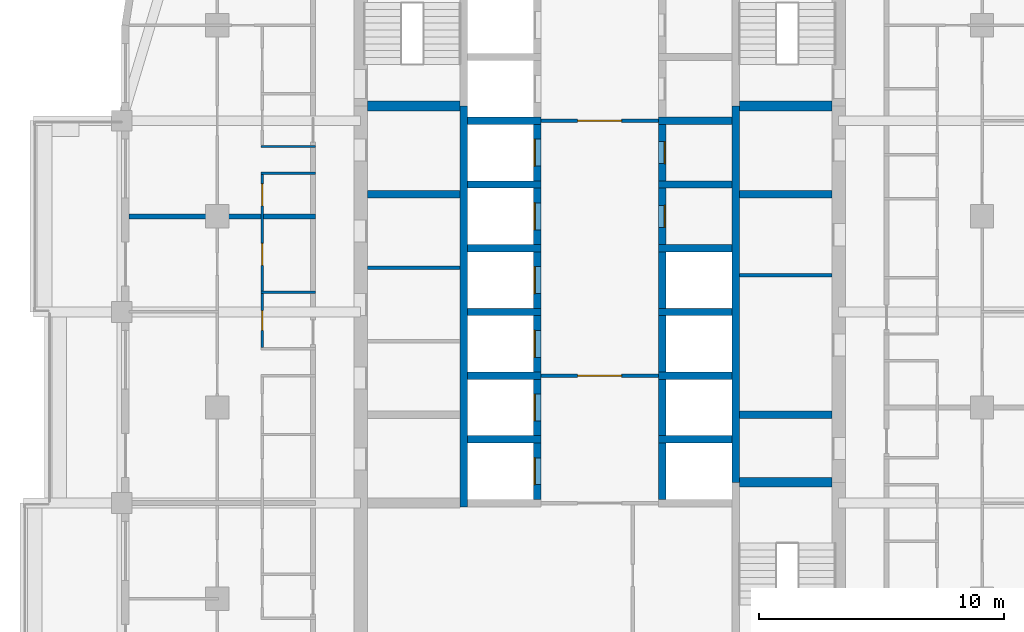
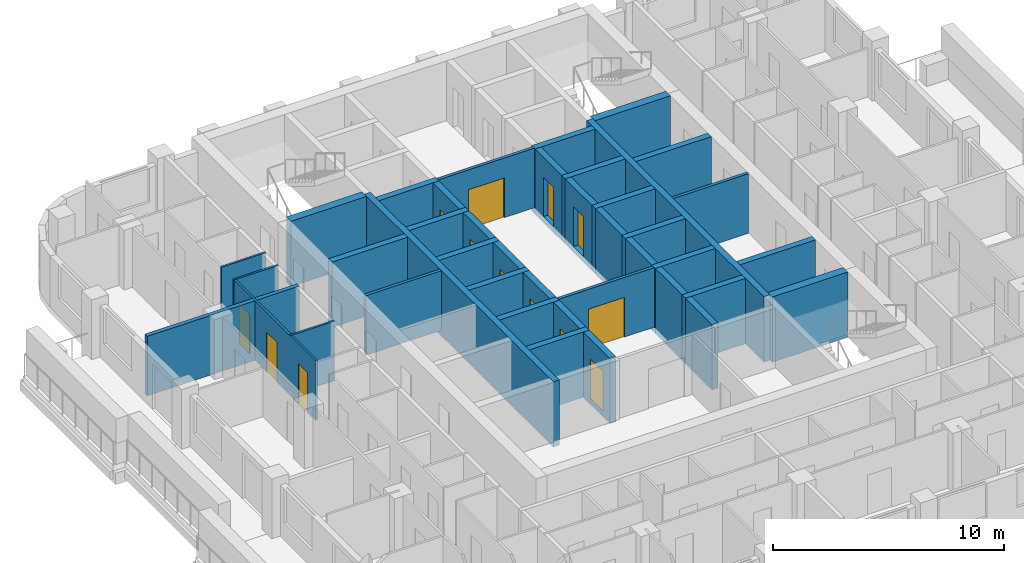
# One storey, part 5 of 13: 41 walls, 13 doors, 13 openings.
"""IFC4 building model written with IfcOpenShell, lengths in metres."""

from ifc_helpers import new_model, si_unit, direction, frame, frame_2d, origin, place, context, subcontext, project, spatial, rectangle, extrude, material, layer, layer_set, type_object, element, fill, save


model = new_model("IFC4")

# Units and contexts
model_context = context("Model", 3, precision=1e-05, world=origin(), true_north=direction((0.0, 1.0)))
body_context = subcontext(model_context, "Body", "Model", "MODEL_VIEW")
ifc_project = project(units=[si_unit("LENGTHUNIT", "METRE"), si_unit("AREAUNIT", "SQUARE_METRE"), si_unit("VOLUMEUNIT", "CUBIC_METRE"), si_unit("PLANEANGLEUNIT", "RADIAN"), si_unit("MASSUNIT", "GRAM", prefix="KILO")], contexts=[model_context])

# Site, building, storey
site_placement = place(None, origin())
site = spatial("IfcSite", under=ifc_project, at=site_placement, CompositionType="ELEMENT")
building_placement = place(site_placement, origin())
building = spatial("IfcBuilding", under=site, at=building_placement, Name="Ludao Terraces", CompositionType="ELEMENT")
storey_placement = place(building_placement, frame((0.0, 0.0, 123.699951171875)))
storey = spatial("IfcBuildingStorey", under=building, at=storey_placement, Name="L33", CompositionType="ELEMENT", Elevation=123.699951171875)

# Wall, opening, door
ifc_material_1 = material(Name="Fire-rated gypsum plasterboard", Category="gypsum")
ifc_layer_1 = layer(ifc_material_1, 0.012451171875, Category="gypsum")
ifc_material_2 = material(Name="Mineral wool")
ifc_layer_2 = layer(ifc_material_2, 0.10009765625, Name="insulation")
ifc_material_3 = material(Name="Steel Q235", Category="steel")
ifc_layer_3 = layer(ifc_material_3, 0.02490234375, Name="stud")
ifc_layer_4 = layer(ifc_material_1, 0.012451171875, Category="gypsum")
ifc_layer_set_1 = layer_set([ifc_layer_1, ifc_layer_2, ifc_layer_3, ifc_layer_4], Name="INT Core partition 150")
wall_type_1 = type_object("IfcWallType", Name="INT Core partition 150", PredefinedType="PARTITIONING", material=ifc_layer_set_1)
wall_1_placement = place(storey_placement, frame((82.60009765625, 66.300048828125, 0.0), z_axis=(0.0, 0.0, 1.0), x_axis=(1.0, 0.0, 0.0)))
wall_1 = element("IfcWall", 1, at=wall_1_placement, inside=storey, type_object=wall_type_1, Name="PW-L33-PW024", PredefinedType="PARTITIONING", context=body_context, shape_type="SweptSolid", body=[
    extrude(rectangle(XDim=4.800048828125, YDim=0.14990234375, at=frame_2d((2.39990234375, 0.0))), origin(), (0.0, 0.0, 1.0), 3.150146484375),
])
opening_1_placement = place(wall_1_placement, frame((1.5, 0.0, 0.0)))
opening_1 = element("IfcOpeningElement", 2, at=opening_1_placement, cuts=wall_1, Name="Opening R10-051", PredefinedType="OPENING", context=body_context, shape_type="SweptSolid", body=[
    extrude(rectangle(XDim=1.800048828125, YDim=2.10009765625, at=frame_2d((0.89990234375, 1.050048828125))), frame((0.0, 0.0849609375, 0.0), z_axis=(0.0, -1.0, 0.0), x_axis=(1.0, 0.0, 0.0)), (0.0, 0.0, 1.0), 0.169921875),
])
door_type_1 = type_object("IfcDoorType", Name="INT Fire lobby door 1800", OperationType="DOUBLE_DOOR_SINGLE_SWING", PredefinedType="DOOR", material=ifc_material_3)
door_1_placement = place(opening_1_placement, origin())
door_1 = element("IfcDoor", 3, at=door_1_placement, inside=storey, type_object=door_type_1, Name="DOOR 051", OperationType="DOUBLE_DOOR_SINGLE_SWING", OverallHeight=2.10009765625, OverallWidth=1.800048828125, PredefinedType="DOOR", context=body_context, shape_type="SweptSolid", body=[
    extrude(rectangle(XDim=1.800048828125, YDim=2.10009765625, at=frame_2d((0.89990234375, 1.050048828125))), frame((0.0, 0.02490234375, 0.0), z_axis=(0.0, -1.0, 0.0), x_axis=(1.0, 0.0, 0.0)), (0.0, 0.0, 1.0), 0.050048828125),
])
fill(opening_1, door_1)

# Walls
for number, where, z_axis, x_axis, name in (
    (4, (90.7001953125, 70.39990234375, 0.0), (0.0, 0.0, 1.0), (1.0, 0.0, 0.0), "PW-L33-PW033"),
    (5, (75.525146484375, 70.699951171875, 0.0), (0.0, 0.0, 1.0), (1.0, 0.0, 0.0), "PW-L33-PW034"),
):
    element("IfcWall", number, at=place(storey_placement, frame(where, z_axis=z_axis, x_axis=x_axis)), inside=storey, type_object=wall_type_1, Name=name, PredefinedType="PARTITIONING", context=body_context, shape_type="SweptSolid", body=[
        extrude(rectangle(XDim=3.77490234375, YDim=0.14990234375, at=frame_2d((1.887451171875, 0.0))), origin(), (0.0, 0.0, 1.0), 3.150146484375),
    ])

# Wall, opening, door
wall_2_placement = place(storey_placement, frame((82.60009765625, 76.699951171875, 0.0), z_axis=(0.0, 0.0, 1.0), x_axis=(1.0, 0.0, 0.0)))
wall_2 = element("IfcWall", 6, at=wall_2_placement, inside=storey, type_object=wall_type_1, Name="PW-L33-PW040", PredefinedType="PARTITIONING", context=body_context, shape_type="SweptSolid", body=[
    extrude(rectangle(XDim=4.800048828125, YDim=0.14990234375, at=frame_2d((2.39990234375, 0.0))), origin(), (0.0, 0.0, 1.0), 3.150146484375),
])
opening_2_placement = place(wall_2_placement, frame((1.5, 0.0, 0.0)))
opening_2 = element("IfcOpeningElement", 7, at=opening_2_placement, cuts=wall_2, Name="Opening R10-078", PredefinedType="OPENING", context=body_context, shape_type="SweptSolid", body=[
    extrude(rectangle(XDim=1.800048828125, YDim=2.10009765625, at=frame_2d((0.89990234375, 1.050048828125))), frame((0.0, 0.0849609375, 0.0), z_axis=(0.0, -1.0, 0.0), x_axis=(1.0, 0.0, 0.0)), (0.0, 0.0, 1.0), 0.169921875),
])
door_2_placement = place(opening_2_placement, origin())
door_2 = element("IfcDoor", 8, at=door_2_placement, inside=storey, type_object=door_type_1, Name="DOOR 078", OperationType="DOUBLE_DOOR_SINGLE_SWING", OverallHeight=2.10009765625, OverallWidth=1.800048828125, PredefinedType="DOOR", context=body_context, shape_type="SweptSolid", body=[
    extrude(rectangle(XDim=1.800048828125, YDim=2.10009765625, at=frame_2d((0.89990234375, 1.050048828125))), frame((0.0, 0.02490234375, 0.0), z_axis=(0.0, -1.0, 0.0), x_axis=(1.0, 0.0, 0.0)), (0.0, 0.0, 1.0), 0.050048828125),
])
fill(opening_2, door_2)

# Walls
ifc_material_4 = material(Name="Gypsum plasterboard", Category="gypsum")
ifc_layer_5 = layer(ifc_material_4, 0.012451171875, Category="gypsum")
ifc_layer_6 = layer(ifc_material_2, 0.06005859375, Name="insulation")
ifc_layer_7 = layer(ifc_material_3, 0.014892578125, Name="stud")
ifc_layer_8 = layer(ifc_material_4, 0.012451171875, Category="gypsum")
ifc_layer_set_2 = layer_set([ifc_layer_5, ifc_layer_6, ifc_layer_7, ifc_layer_8], Name="INT Partition 100")
wall_type_2 = type_object("IfcWallType", Name="INT Partition 100", PredefinedType="PARTITIONING", material=ifc_layer_set_2)
for number, where, z_axis, x_axis, name in (
    (9, (71.18017578125, 69.699951171875, 0.0), (0.0, 0.0, 1.0), (1.0, 0.0, 0.0), "PW-L33-PW031"),
    (10, (71.18017578125, 74.550048828125, 0.0), (0.0, 0.0, 1.0), (1.0, 0.0, 0.0), "PW-L33-PW037"),
    (11, (71.18017578125, 75.64990234375, 0.0), (0.0, 0.0, 1.0), (1.0, 0.0, 0.0), "PW-L33-PW039"),
):
    element("IfcWall", number, at=place(storey_placement, frame(where, z_axis=z_axis, x_axis=x_axis)), inside=storey, type_object=wall_type_2, Name=name, PredefinedType="PARTITIONING", context=body_context, shape_type="SweptSolid", body=[
        extrude(rectangle(XDim=2.219970703125, YDim=0.10009765625, at=frame_2d((1.10986328125, 0.0))), origin(), (0.0, 0.0, 1.0), 3.150146484375),
    ])

# Wall, openings, doors
wall_3_placement = place(storey_placement, frame((71.22998046875, 67.4501953125, 0.0), z_axis=(0.0, 0.0, 1.0), x_axis=(0.0, 1.0, 0.0)))
wall_3 = element("IfcWall", 12, at=wall_3_placement, inside=storey, type_object=wall_type_2, Name="PW-L33-PW049", PredefinedType="PARTITIONING", context=body_context, shape_type="SweptSolid", body=[
    extrude(rectangle(XDim=7.0498046875, YDim=0.10009765625, at=frame_2d((3.52490234375, 0.0))), origin(), (0.0, 0.0, 1.0), 3.150146484375),
])
opening_3_placement = place(wall_3_placement, frame((0.699951171875, 0.0, 0.0)))
opening_3 = element("IfcOpeningElement", 13, at=opening_3_placement, cuts=wall_3, Name="Opening R10-056", PredefinedType="OPENING", context=body_context, shape_type="SweptSolid", body=[
    extrude(rectangle(XDim=0.800048828125, YDim=2.10009765625, at=frame_2d((0.39990234375, 1.050048828125))), frame((0.0, 0.06005859375, 0.0), z_axis=(0.0, -1.0, 0.0), x_axis=(1.0, 0.0, 0.0)), (0.0, 0.0, 1.0), 0.1201171875),
])
opening_4_placement = place(wall_3_placement, frame((3.349853515625, 0.0, 0.0)))
opening_4 = element("IfcOpeningElement", 14, at=opening_4_placement, cuts=wall_3, Name="Opening R10-062", PredefinedType="OPENING", context=body_context, shape_type="SweptSolid", body=[
    extrude(rectangle(XDim=0.89990234375, YDim=2.10009765625, at=frame_2d((0.449951171875, 1.050048828125))), frame((0.0, 0.06005859375, 0.0), z_axis=(0.0, -1.0, 0.0), x_axis=(1.0, 0.0, 0.0)), (0.0, 0.0, 1.0), 0.1201171875),
])
opening_5_placement = place(wall_3_placement, frame((5.77490234375, 0.0, 0.0)))
opening_5 = element("IfcOpeningElement", 15, at=opening_5_placement, cuts=wall_3, Name="Opening R10-068", PredefinedType="OPENING", context=body_context, shape_type="SweptSolid", body=[
    extrude(rectangle(XDim=0.89990234375, YDim=2.10009765625, at=frame_2d((0.449951171875, 1.050048828125))), frame((0.0, 0.06005859375, 0.0), z_axis=(0.0, -1.0, 0.0), x_axis=(1.0, 0.0, 0.0)), (0.0, 0.0, 1.0), 0.1201171875),
])
ifc_material_5 = material(Name="Timber door leaf", Category="wood")
door_type_2 = type_object("IfcDoorType", Name="INT Bathroom door 900", OperationType="SINGLE_SWING_LEFT", PredefinedType="DOOR", material=ifc_material_5)
door_3_placement = place(opening_5_placement, origin())
door_3 = element("IfcDoor", 16, at=door_3_placement, inside=storey, type_object=door_type_2, Name="DOOR 068", OperationType="SINGLE_SWING_RIGHT", OverallHeight=2.10009765625, OverallWidth=0.89990234375, PredefinedType="DOOR", context=body_context, shape_type="SweptSolid", body=[
    extrude(rectangle(XDim=0.89990234375, YDim=2.10009765625, at=frame_2d((0.449951171875, 1.050048828125))), frame((0.0, 0.02490234375, 0.0), z_axis=(0.0, -1.0, 0.0), x_axis=(1.0, 0.0, 0.0)), (0.0, 0.0, 1.0), 0.050048828125),
])
fill(opening_5, door_3)
door_type_3 = type_object("IfcDoorType", Name="INT Room door 900", OperationType="SINGLE_SWING_LEFT", PredefinedType="DOOR", material=ifc_material_5)
door_4_placement = place(opening_4_placement, origin())
door_4 = element("IfcDoor", 17, at=door_4_placement, inside=storey, type_object=door_type_3, Name="DOOR 062", OperationType="SINGLE_SWING_LEFT", OverallHeight=2.10009765625, OverallWidth=0.89990234375, PredefinedType="DOOR", context=body_context, shape_type="SweptSolid", body=[
    extrude(rectangle(XDim=0.89990234375, YDim=2.10009765625, at=frame_2d((0.449951171875, 1.050048828125))), frame((0.0, 0.02490234375, 0.0), z_axis=(0.0, -1.0, 0.0), x_axis=(1.0, 0.0, 0.0)), (0.0, 0.0, 1.0), 0.050048828125),
])
fill(opening_4, door_4)
door_type_4 = type_object("IfcDoorType", Name="INT Store door 800", OperationType="SINGLE_SWING_LEFT", PredefinedType="DOOR", material=ifc_material_5)
door_5_placement = place(opening_3_placement, origin())
door_5 = element("IfcDoor", 18, at=door_5_placement, inside=storey, type_object=door_type_4, Name="DOOR 056", OperationType="SINGLE_SWING_RIGHT", OverallHeight=2.10009765625, OverallWidth=0.800048828125, PredefinedType="DOOR", context=body_context, shape_type="SweptSolid", body=[
    extrude(rectangle(XDim=0.800048828125, YDim=2.10009765625, at=frame_2d((0.39990234375, 1.050048828125))), frame((0.0, 0.02490234375, 0.0), z_axis=(0.0, -1.0, 0.0), x_axis=(1.0, 0.0, 0.0)), (0.0, 0.0, 1.0), 0.050048828125),
])
fill(opening_3, door_5)

# Walls
ifc_material_6 = material(Name="Autoclaved aerated concrete block B06 A3.5", Category="concrete")
ifc_layer_9 = layer(ifc_material_6, 0.199951171875)
ifc_layer_set_3 = layer_set([ifc_layer_9], Name="INT Party wall 200")
wall_type_3 = type_object("IfcWallType", Name="INT Party wall 200", PredefinedType="PARTITIONING", material=ifc_layer_set_3)
wall_4_placement = place(storey_placement, frame((65.800048828125, 72.800048828125, 0.0), z_axis=(0.0, 0.0, 1.0), x_axis=(1.0, 0.0, 0.0)))
element("IfcWall", 19, at=wall_4_placement, inside=storey, type_object=wall_type_3, Name="PW-L33-PW035", PredefinedType="PARTITIONING", context=body_context, shape_type="SweptSolid", body=[
    extrude(rectangle(XDim=7.60009765625, YDim=0.199951171875, at=frame_2d((3.800048828125, 0.0))), origin(), (0.0, 0.0, 1.0), 3.150146484375),
])
ifc_material_7 = material(Name="Concrete C55", Category="concrete")
ifc_layer_10 = layer(ifc_material_7, 0.300048828125)
ifc_layer_set_4 = layer_set([ifc_layer_10], Name="Shaft wall 300 C55")
wall_type_4 = type_object("IfcWallType", Name="Shaft wall 300 C55", PredefinedType="SOLIDWALL", material=ifc_layer_set_4)
wall_5_placement = place(storey_placement, frame((79.449951171875, 60.949951171875, -0.300048828125), z_axis=(0.0, 0.0, 1.0), x_axis=(0.0, 1.0, 0.0)))
element("IfcWall", 20, at=wall_5_placement, inside=storey, type_object=wall_type_4, Name="Core wall L33 back-W", PredefinedType="SOLIDWALL", context=body_context, shape_type="SweptSolid", body=[
    extrude(rectangle(XDim=16.35009765625, YDim=0.300048828125, at=frame_2d((8.175048828125, 0.0))), origin(), (0.0, 0.0, 1.0), 3.4501953125),
])
wall_6_placement = place(storey_placement, frame((90.550048828125, 61.949951171875, -0.300048828125), z_axis=(0.0, 0.0, 1.0), x_axis=(0.0, 1.0, 0.0)))
element("IfcWall", 21, at=wall_6_placement, inside=storey, type_object=wall_type_4, Name="Core wall L33 back-E", PredefinedType="SOLIDWALL", context=body_context, shape_type="SweptSolid", body=[
    extrude(rectangle(XDim=15.35009765625, YDim=0.300048828125, at=frame_2d((7.675048828125, 0.0))), origin(), (0.0, 0.0, 1.0), 3.4501953125),
])

# Wall, opening, door
wall_7_placement = place(storey_placement, frame((82.449951171875, 61.25, -0.300048828125), z_axis=(0.0, 0.0, 1.0), x_axis=(0.0, 1.0, 0.0)))
wall_7 = element("IfcWall", 22, at=wall_7_placement, inside=storey, type_object=wall_type_4, Name="Core wall L33 front-W1", PredefinedType="SOLIDWALL", context=body_context, shape_type="SweptSolid", body=[
    extrude(rectangle(XDim=2.300048828125, YDim=0.300048828125, at=frame_2d((1.14990234375, 0.0))), origin(), (0.0, 0.0, 1.0), 3.4501953125),
])
opening_6_placement = place(wall_7_placement, frame((0.60009765625, 0.0, 0.300048828125)))
opening_6 = element("IfcOpeningElement", 23, at=opening_6_placement, cuts=wall_7, Name="Opening LD-LA1", PredefinedType="OPENING", context=body_context, shape_type="SweptSolid", body=[
    extrude(rectangle(XDim=1.10009765625, YDim=2.10009765625, at=frame_2d((0.550048828125, 1.050048828125))), frame((0.0, 0.16015625, 0.0), z_axis=(0.0, -1.0, 0.0), x_axis=(1.0, 0.0, 0.0)), (0.0, 0.0, 1.0), 0.320068359375),
])
ifc_material_8 = material(Name="Stainless steel 304", Category="steel")
door_type_5 = type_object("IfcDoorType", Name="INT Lift landing door 1100", OperationType="SLIDING_TO_LEFT", PredefinedType="DOOR", material=ifc_material_8)
door_6_placement = place(opening_6_placement, origin())
door_6 = element("IfcDoor", 24, at=door_6_placement, inside=storey, type_object=door_type_5, Name="LANDING DOOR LA1 L33", OperationType="SLIDING_TO_RIGHT", OverallHeight=2.10009765625, OverallWidth=1.10009765625, PredefinedType="DOOR", context=body_context, shape_type="SweptSolid", body=[
    extrude(rectangle(XDim=1.10009765625, YDim=2.10009765625, at=frame_2d((0.550048828125, 1.050048828125))), frame((0.0, 0.13525390625, 0.0), z_axis=(0.0, -1.0, 0.0), x_axis=(1.0, 0.0, 0.0)), (0.0, 0.0, 1.0), 0.050048828125),
])
fill(opening_6, door_6)

# Wall
wall_8_placement = place(storey_placement, frame((79.60009765625, 63.699951171875, -0.300048828125), z_axis=(0.0, 0.0, 1.0), x_axis=(1.0, 0.0, 0.0)))
element("IfcWall", 25, at=wall_8_placement, inside=storey, type_object=wall_type_4, Name="Core wall L33 div-W2", PredefinedType="SOLIDWALL", context=body_context, shape_type="SweptSolid", body=[
    extrude(rectangle(XDim=3.0, YDim=0.300048828125, at=frame_2d((1.5, 0.0))), origin(), (0.0, 0.0, 1.0), 3.4501953125),
])

# Wall, opening, door
wall_9_placement = place(storey_placement, frame((82.449951171875, 63.85009765625, -0.300048828125), z_axis=(0.0, 0.0, 1.0), x_axis=(0.0, 1.0, 0.0)))
wall_9 = element("IfcWall", 26, at=wall_9_placement, inside=storey, type_object=wall_type_4, Name="Core wall L33 front-W2", PredefinedType="SOLIDWALL", context=body_context, shape_type="SweptSolid", body=[
    extrude(rectangle(XDim=2.2998046875, YDim=0.300048828125, at=frame_2d((1.14990234375, 0.0))), origin(), (0.0, 0.0, 1.0), 3.4501953125),
])
opening_7_placement = place(wall_9_placement, frame((0.60009765625, 0.0, 0.300048828125)))
opening_7 = element("IfcOpeningElement", 27, at=opening_7_placement, cuts=wall_9, Name="Opening LD-LA2", PredefinedType="OPENING", context=body_context, shape_type="SweptSolid", body=[
    extrude(rectangle(XDim=1.10009765625, YDim=2.10009765625, at=frame_2d((0.550048828125, 1.050048828125))), frame((0.0, 0.16015625, 0.0), z_axis=(0.0, -1.0, 0.0), x_axis=(1.0, 0.0, 0.0)), (0.0, 0.0, 1.0), 0.320068359375),
])
door_7_placement = place(opening_7_placement, origin())
door_7 = element("IfcDoor", 28, at=door_7_placement, inside=storey, type_object=door_type_5, Name="LANDING DOOR LA2 L33", OperationType="SLIDING_TO_RIGHT", OverallHeight=2.10009765625, OverallWidth=1.10009765625, PredefinedType="DOOR", context=body_context, shape_type="SweptSolid", body=[
    extrude(rectangle(XDim=1.10009765625, YDim=2.10009765625, at=frame_2d((0.550048828125, 1.050048828125))), frame((0.0, 0.13525390625, 0.0), z_axis=(0.0, -1.0, 0.0), x_axis=(1.0, 0.0, 0.0)), (0.0, 0.0, 1.0), 0.050048828125),
])
fill(opening_7, door_7)

# Wall
wall_10_placement = place(storey_placement, frame((79.60009765625, 66.300048828125, -0.300048828125), z_axis=(0.0, 0.0, 1.0), x_axis=(1.0, 0.0, 0.0)))
element("IfcWall", 29, at=wall_10_placement, inside=storey, type_object=wall_type_4, Name="Core wall L33 div-W3", PredefinedType="SOLIDWALL", context=body_context, shape_type="SweptSolid", body=[
    extrude(rectangle(XDim=3.0, YDim=0.300048828125, at=frame_2d((1.5, 0.0))), origin(), (0.0, 0.0, 1.0), 3.4501953125),
])

# Wall, opening, door
wall_11_placement = place(storey_placement, frame((82.449951171875, 66.449951171875, -0.300048828125), z_axis=(0.0, 0.0, 1.0), x_axis=(0.0, 1.0, 0.0)))
wall_11 = element("IfcWall", 30, at=wall_11_placement, inside=storey, type_object=wall_type_4, Name="Core wall L33 front-W3", PredefinedType="SOLIDWALL", context=body_context, shape_type="SweptSolid", body=[
    extrude(rectangle(XDim=2.300048828125, YDim=0.300048828125, at=frame_2d((1.14990234375, 0.0))), origin(), (0.0, 0.0, 1.0), 3.4501953125),
])
opening_8_placement = place(wall_11_placement, frame((0.60009765625, 0.0, 0.300048828125)))
opening_8 = element("IfcOpeningElement", 31, at=opening_8_placement, cuts=wall_11, Name="Opening LD-LA3", PredefinedType="OPENING", context=body_context, shape_type="SweptSolid", body=[
    extrude(rectangle(XDim=1.10009765625, YDim=2.10009765625, at=frame_2d((0.550048828125, 1.050048828125))), frame((0.0, 0.16015625, 0.0), z_axis=(0.0, -1.0, 0.0), x_axis=(1.0, 0.0, 0.0)), (0.0, 0.0, 1.0), 0.320068359375),
])
door_8_placement = place(opening_8_placement, origin())
door_8 = element("IfcDoor", 32, at=door_8_placement, inside=storey, type_object=door_type_5, Name="LANDING DOOR LA3 L33", OperationType="SLIDING_TO_RIGHT", OverallHeight=2.10009765625, OverallWidth=1.10009765625, PredefinedType="DOOR", context=body_context, shape_type="SweptSolid", body=[
    extrude(rectangle(XDim=1.10009765625, YDim=2.10009765625, at=frame_2d((0.550048828125, 1.050048828125))), frame((0.0, 0.13525390625, 0.0), z_axis=(0.0, -1.0, 0.0), x_axis=(1.0, 0.0, 0.0)), (0.0, 0.0, 1.0), 0.050048828125),
])
fill(opening_8, door_8)

# Wall
wall_12_placement = place(storey_placement, frame((79.60009765625, 68.89990234375, -0.300048828125), z_axis=(0.0, 0.0, 1.0), x_axis=(1.0, 0.0, 0.0)))
element("IfcWall", 33, at=wall_12_placement, inside=storey, type_object=wall_type_4, Name="Core wall L33 div-W4", PredefinedType="SOLIDWALL", context=body_context, shape_type="SweptSolid", body=[
    extrude(rectangle(XDim=3.0, YDim=0.300048828125, at=frame_2d((1.5, 0.0))), origin(), (0.0, 0.0, 1.0), 3.4501953125),
])

# Wall, opening, door
wall_13_placement = place(storey_placement, frame((82.449951171875, 69.050048828125, -0.300048828125), z_axis=(0.0, 0.0, 1.0), x_axis=(0.0, 1.0, 0.0)))
wall_13 = element("IfcWall", 34, at=wall_13_placement, inside=storey, type_object=wall_type_4, Name="Core wall L33 front-W4", PredefinedType="SOLIDWALL", context=body_context, shape_type="SweptSolid", body=[
    extrude(rectangle(XDim=2.300048828125, YDim=0.300048828125, at=frame_2d((1.14990234375, 0.0))), origin(), (0.0, 0.0, 1.0), 3.4501953125),
])
opening_9_placement = place(wall_13_placement, frame((0.60009765625, 0.0, 0.300048828125)))
opening_9 = element("IfcOpeningElement", 35, at=opening_9_placement, cuts=wall_13, Name="Opening LD-LA4", PredefinedType="OPENING", context=body_context, shape_type="SweptSolid", body=[
    extrude(rectangle(XDim=1.10009765625, YDim=2.10009765625, at=frame_2d((0.550048828125, 1.050048828125))), frame((0.0, 0.16015625, 0.0), z_axis=(0.0, -1.0, 0.0), x_axis=(1.0, 0.0, 0.0)), (0.0, 0.0, 1.0), 0.320068359375),
])
door_9_placement = place(opening_9_placement, origin())
door_9 = element("IfcDoor", 36, at=door_9_placement, inside=storey, type_object=door_type_5, Name="LANDING DOOR LA4 L33", OperationType="SLIDING_TO_LEFT", OverallHeight=2.10009765625, OverallWidth=1.10009765625, PredefinedType="DOOR", context=body_context, shape_type="SweptSolid", body=[
    extrude(rectangle(XDim=1.10009765625, YDim=2.10009765625, at=frame_2d((0.550048828125, 1.050048828125))), frame((0.0, 0.13525390625, 0.0), z_axis=(0.0, -1.0, 0.0), x_axis=(1.0, 0.0, 0.0)), (0.0, 0.0, 1.0), 0.050048828125),
])
fill(opening_9, door_9)

# Wall
wall_14_placement = place(storey_placement, frame((79.60009765625, 71.5, -0.300048828125), z_axis=(0.0, 0.0, 1.0), x_axis=(1.0, 0.0, 0.0)))
element("IfcWall", 37, at=wall_14_placement, inside=storey, type_object=wall_type_4, Name="Core wall L33 div-W5", PredefinedType="SOLIDWALL", context=body_context, shape_type="SweptSolid", body=[
    extrude(rectangle(XDim=3.0, YDim=0.300048828125, at=frame_2d((1.5, 0.0))), origin(), (0.0, 0.0, 1.0), 3.4501953125),
])

# Wall, opening, door
wall_15_placement = place(storey_placement, frame((82.449951171875, 71.64990234375, -0.300048828125), z_axis=(0.0, 0.0, 1.0), x_axis=(0.0, 1.0, 0.0)))
wall_15 = element("IfcWall", 38, at=wall_15_placement, inside=storey, type_object=wall_type_4, Name="Core wall L33 front-W5", PredefinedType="SOLIDWALL", context=body_context, shape_type="SweptSolid", body=[
    extrude(rectangle(XDim=2.300048828125, YDim=0.300048828125, at=frame_2d((1.14990234375, 0.0))), origin(), (0.0, 0.0, 1.0), 3.4501953125),
])
opening_10_placement = place(wall_15_placement, frame((0.60009765625, 0.0, 0.300048828125)))
opening_10 = element("IfcOpeningElement", 39, at=opening_10_placement, cuts=wall_15, Name="Opening LD-LA5", PredefinedType="OPENING", context=body_context, shape_type="SweptSolid", body=[
    extrude(rectangle(XDim=1.10009765625, YDim=2.10009765625, at=frame_2d((0.550048828125, 1.050048828125))), frame((0.0, 0.16015625, 0.0), z_axis=(0.0, -1.0, 0.0), x_axis=(1.0, 0.0, 0.0)), (0.0, 0.0, 1.0), 0.320068359375),
])
door_10_placement = place(opening_10_placement, origin())
door_10 = element("IfcDoor", 40, at=door_10_placement, inside=storey, type_object=door_type_5, Name="LANDING DOOR LA5 L33", OperationType="SLIDING_TO_LEFT", OverallHeight=2.10009765625, OverallWidth=1.10009765625, PredefinedType="DOOR", context=body_context, shape_type="SweptSolid", body=[
    extrude(rectangle(XDim=1.10009765625, YDim=2.10009765625, at=frame_2d((0.550048828125, 1.050048828125))), frame((0.0, 0.13525390625, 0.0), z_axis=(0.0, -1.0, 0.0), x_axis=(1.0, 0.0, 0.0)), (0.0, 0.0, 1.0), 0.050048828125),
])
fill(opening_10, door_10)

# Wall
wall_16_placement = place(storey_placement, frame((79.60009765625, 74.10009765625, -0.300048828125), z_axis=(0.0, 0.0, 1.0), x_axis=(1.0, 0.0, 0.0)))
element("IfcWall", 41, at=wall_16_placement, inside=storey, type_object=wall_type_4, Name="Core wall L33 div-W6", PredefinedType="SOLIDWALL", context=body_context, shape_type="SweptSolid", body=[
    extrude(rectangle(XDim=3.0, YDim=0.300048828125, at=frame_2d((1.5, 0.0))), origin(), (0.0, 0.0, 1.0), 3.4501953125),
])

# Wall, opening, door
wall_17_placement = place(storey_placement, frame((82.449951171875, 74.25, -0.300048828125), z_axis=(0.0, 0.0, 1.0), x_axis=(0.0, 1.0, 0.0)))
wall_17 = element("IfcWall", 42, at=wall_17_placement, inside=storey, type_object=wall_type_4, Name="Core wall L33 front-W6", PredefinedType="SOLIDWALL", context=body_context, shape_type="SweptSolid", body=[
    extrude(rectangle(XDim=2.300048828125, YDim=0.300048828125, at=frame_2d((1.14990234375, 0.0))), origin(), (0.0, 0.0, 1.0), 3.4501953125),
])
opening_11_placement = place(wall_17_placement, frame((0.60009765625, 0.0, 0.300048828125)))
opening_11 = element("IfcOpeningElement", 43, at=opening_11_placement, cuts=wall_17, Name="Opening LD-LA6", PredefinedType="OPENING", context=body_context, shape_type="SweptSolid", body=[
    extrude(rectangle(XDim=1.10009765625, YDim=2.10009765625, at=frame_2d((0.550048828125, 1.050048828125))), frame((0.0, 0.16015625, 0.0), z_axis=(0.0, -1.0, 0.0), x_axis=(1.0, 0.0, 0.0)), (0.0, 0.0, 1.0), 0.320068359375),
])
door_11_placement = place(opening_11_placement, origin())
door_11 = element("IfcDoor", 44, at=door_11_placement, inside=storey, type_object=door_type_5, Name="LANDING DOOR LA6 L33", OperationType="SLIDING_TO_LEFT", OverallHeight=2.10009765625, OverallWidth=1.10009765625, PredefinedType="DOOR", context=body_context, shape_type="SweptSolid", body=[
    extrude(rectangle(XDim=1.10009765625, YDim=2.10009765625, at=frame_2d((0.550048828125, 1.050048828125))), frame((0.0, 0.13525390625, 0.0), z_axis=(0.0, -1.0, 0.0), x_axis=(1.0, 0.0, 0.0)), (0.0, 0.0, 1.0), 0.050048828125),
])
fill(opening_11, door_11)

# Walls
wall_18_placement = place(storey_placement, frame((79.60009765625, 76.699951171875, -0.300048828125), z_axis=(0.0, 0.0, 1.0), x_axis=(1.0, 0.0, 0.0)))
element("IfcWall", 45, at=wall_18_placement, inside=storey, type_object=wall_type_4, Name="Core wall L33 div-W7", PredefinedType="SOLIDWALL", context=body_context, shape_type="SweptSolid", body=[
    extrude(rectangle(XDim=3.0, YDim=0.300048828125, at=frame_2d((1.5, 0.0))), origin(), (0.0, 0.0, 1.0), 3.4501953125),
])
wall_19_placement = place(storey_placement, frame((87.550048828125, 61.25, -0.300048828125), z_axis=(0.0, 0.0, 1.0), x_axis=(0.0, 1.0, 0.0)))
element("IfcWall", 46, at=wall_19_placement, inside=storey, type_object=wall_type_4, Name="Core wall L33 front-E1", PredefinedType="SOLIDWALL", context=body_context, shape_type="SweptSolid", body=[
    extrude(rectangle(XDim=2.300048828125, YDim=0.300048828125, at=frame_2d((1.14990234375, 0.0))), origin(), (0.0, 0.0, 1.0), 3.4501953125),
])
wall_20_placement = place(storey_placement, frame((87.39990234375, 63.699951171875, -0.300048828125), z_axis=(0.0, 0.0, 1.0), x_axis=(1.0, 0.0, 0.0)))
element("IfcWall", 47, at=wall_20_placement, inside=storey, type_object=wall_type_4, Name="Core wall L33 div-E2", PredefinedType="SOLIDWALL", context=body_context, shape_type="SweptSolid", body=[
    extrude(rectangle(XDim=3.0, YDim=0.300048828125, at=frame_2d((1.5, 0.0))), origin(), (0.0, 0.0, 1.0), 3.4501953125),
])
wall_21_placement = place(storey_placement, frame((87.550048828125, 63.85009765625, -0.300048828125), z_axis=(0.0, 0.0, 1.0), x_axis=(0.0, 1.0, 0.0)))
element("IfcWall", 48, at=wall_21_placement, inside=storey, type_object=wall_type_4, Name="Core wall L33 front-E2", PredefinedType="SOLIDWALL", context=body_context, shape_type="SweptSolid", body=[
    extrude(rectangle(XDim=2.2998046875, YDim=0.300048828125, at=frame_2d((1.14990234375, 0.0))), origin(), (0.0, 0.0, 1.0), 3.4501953125),
])
wall_22_placement = place(storey_placement, frame((87.39990234375, 66.300048828125, -0.300048828125), z_axis=(0.0, 0.0, 1.0), x_axis=(1.0, 0.0, 0.0)))
element("IfcWall", 49, at=wall_22_placement, inside=storey, type_object=wall_type_4, Name="Core wall L33 div-E3", PredefinedType="SOLIDWALL", context=body_context, shape_type="SweptSolid", body=[
    extrude(rectangle(XDim=3.0, YDim=0.300048828125, at=frame_2d((1.5, 0.0))), origin(), (0.0, 0.0, 1.0), 3.4501953125),
])
wall_23_placement = place(storey_placement, frame((87.550048828125, 66.449951171875, -0.300048828125), z_axis=(0.0, 0.0, 1.0), x_axis=(0.0, 1.0, 0.0)))
element("IfcWall", 50, at=wall_23_placement, inside=storey, type_object=wall_type_4, Name="Core wall L33 front-E3", PredefinedType="SOLIDWALL", context=body_context, shape_type="SweptSolid", body=[
    extrude(rectangle(XDim=2.300048828125, YDim=0.300048828125, at=frame_2d((1.14990234375, 0.0))), origin(), (0.0, 0.0, 1.0), 3.4501953125),
])
wall_24_placement = place(storey_placement, frame((87.39990234375, 68.89990234375, -0.300048828125), z_axis=(0.0, 0.0, 1.0), x_axis=(1.0, 0.0, 0.0)))
element("IfcWall", 51, at=wall_24_placement, inside=storey, type_object=wall_type_4, Name="Core wall L33 div-E4", PredefinedType="SOLIDWALL", context=body_context, shape_type="SweptSolid", body=[
    extrude(rectangle(XDim=3.0, YDim=0.300048828125, at=frame_2d((1.5, 0.0))), origin(), (0.0, 0.0, 1.0), 3.4501953125),
])
wall_25_placement = place(storey_placement, frame((87.550048828125, 69.050048828125, -0.300048828125), z_axis=(0.0, 0.0, 1.0), x_axis=(0.0, 1.0, 0.0)))
element("IfcWall", 52, at=wall_25_placement, inside=storey, type_object=wall_type_4, Name="Core wall L33 front-E4", PredefinedType="SOLIDWALL", context=body_context, shape_type="SweptSolid", body=[
    extrude(rectangle(XDim=2.300048828125, YDim=0.300048828125, at=frame_2d((1.14990234375, 0.0))), origin(), (0.0, 0.0, 1.0), 3.4501953125),
])
wall_26_placement = place(storey_placement, frame((87.39990234375, 71.5, -0.300048828125), z_axis=(0.0, 0.0, 1.0), x_axis=(1.0, 0.0, 0.0)))
element("IfcWall", 53, at=wall_26_placement, inside=storey, type_object=wall_type_4, Name="Core wall L33 div-E5", PredefinedType="SOLIDWALL", context=body_context, shape_type="SweptSolid", body=[
    extrude(rectangle(XDim=3.0, YDim=0.300048828125, at=frame_2d((1.5, 0.0))), origin(), (0.0, 0.0, 1.0), 3.4501953125),
])

# Wall, opening, door
wall_27_placement = place(storey_placement, frame((87.550048828125, 71.64990234375, -0.300048828125), z_axis=(0.0, 0.0, 1.0), x_axis=(0.0, 1.0, 0.0)))
wall_27 = element("IfcWall", 54, at=wall_27_placement, inside=storey, type_object=wall_type_4, Name="Core wall L33 front-E5", PredefinedType="SOLIDWALL", context=body_context, shape_type="SweptSolid", body=[
    extrude(rectangle(XDim=2.300048828125, YDim=0.300048828125, at=frame_2d((1.14990234375, 0.0))), origin(), (0.0, 0.0, 1.0), 3.4501953125),
])
opening_12_placement = place(wall_27_placement, frame((0.699951171875, 0.0, 0.300048828125)))
opening_12 = element("IfcOpeningElement", 55, at=opening_12_placement, cuts=wall_27, Name="Opening R10-067", PredefinedType="OPENING", context=body_context, shape_type="SweptSolid", body=[
    extrude(rectangle(XDim=0.89990234375, YDim=2.10009765625, at=frame_2d((0.449951171875, 1.050048828125))), frame((0.0, 0.16015625, 0.0), z_axis=(0.0, -1.0, 0.0), x_axis=(1.0, 0.0, 0.0)), (0.0, 0.0, 1.0), 0.320068359375),
])
door_12_placement = place(opening_12_placement, origin())
door_12 = element("IfcDoor", 56, at=door_12_placement, inside=storey, type_object=door_type_3, Name="DOOR 067", OperationType="SINGLE_SWING_RIGHT", OverallHeight=2.10009765625, OverallWidth=0.89990234375, PredefinedType="DOOR", context=body_context, shape_type="SweptSolid", body=[
    extrude(rectangle(XDim=0.89990234375, YDim=2.10009765625, at=frame_2d((0.449951171875, 1.050048828125))), frame((0.0, -0.0849609375, 0.0), z_axis=(0.0, -1.0, 0.0), x_axis=(1.0, 0.0, 0.0)), (0.0, 0.0, 1.0), 0.050048828125),
])
fill(opening_12, door_12)

# Wall
wall_28_placement = place(storey_placement, frame((87.39990234375, 74.10009765625, -0.300048828125), z_axis=(0.0, 0.0, 1.0), x_axis=(1.0, 0.0, 0.0)))
element("IfcWall", 57, at=wall_28_placement, inside=storey, type_object=wall_type_4, Name="Core wall L33 div-E6", PredefinedType="SOLIDWALL", context=body_context, shape_type="SweptSolid", body=[
    extrude(rectangle(XDim=3.0, YDim=0.300048828125, at=frame_2d((1.5, 0.0))), origin(), (0.0, 0.0, 1.0), 3.4501953125),
])

# Wall, opening, door
wall_29_placement = place(storey_placement, frame((87.550048828125, 74.25, -0.300048828125), z_axis=(0.0, 0.0, 1.0), x_axis=(0.0, 1.0, 0.0)))
wall_29 = element("IfcWall", 58, at=wall_29_placement, inside=storey, type_object=wall_type_4, Name="Core wall L33 front-E6", PredefinedType="SOLIDWALL", context=body_context, shape_type="SweptSolid", body=[
    extrude(rectangle(XDim=2.300048828125, YDim=0.300048828125, at=frame_2d((1.14990234375, 0.0))), origin(), (0.0, 0.0, 1.0), 3.4501953125),
])
opening_13_placement = place(wall_29_placement, frame((0.699951171875, 0.0, 0.300048828125)))
opening_13 = element("IfcOpeningElement", 59, at=opening_13_placement, cuts=wall_29, Name="Opening R10-072", PredefinedType="OPENING", context=body_context, shape_type="SweptSolid", body=[
    extrude(rectangle(XDim=0.89990234375, YDim=2.10009765625, at=frame_2d((0.449951171875, 1.050048828125))), frame((0.0, 0.16015625, 0.0), z_axis=(0.0, -1.0, 0.0), x_axis=(1.0, 0.0, 0.0)), (0.0, 0.0, 1.0), 0.320068359375),
])
door_13_placement = place(opening_13_placement, origin())
door_13 = element("IfcDoor", 60, at=door_13_placement, inside=storey, type_object=door_type_3, Name="DOOR 072", OperationType="SINGLE_SWING_RIGHT", OverallHeight=2.10009765625, OverallWidth=0.89990234375, PredefinedType="DOOR", context=body_context, shape_type="SweptSolid", body=[
    extrude(rectangle(XDim=0.89990234375, YDim=2.10009765625, at=frame_2d((0.449951171875, 1.050048828125))), frame((0.0, -0.0849609375, 0.0), z_axis=(0.0, -1.0, 0.0), x_axis=(1.0, 0.0, 0.0)), (0.0, 0.0, 1.0), 0.050048828125),
])
fill(opening_13, door_13)

# Walls
wall_30_placement = place(storey_placement, frame((87.39990234375, 76.699951171875, -0.300048828125), z_axis=(0.0, 0.0, 1.0), x_axis=(1.0, 0.0, 0.0)))
element("IfcWall", 61, at=wall_30_placement, inside=storey, type_object=wall_type_4, Name="Core wall L33 div-E7", PredefinedType="SOLIDWALL", context=body_context, shape_type="SweptSolid", body=[
    extrude(rectangle(XDim=3.0, YDim=0.300048828125, at=frame_2d((1.5, 0.0))), origin(), (0.0, 0.0, 1.0), 3.4501953125),
])
for number, where, z_axis, x_axis, name in (
    (62, (75.52490234375, 73.699951171875, -0.300048828125), (0.0, 0.0, 1.0), (1.0, 0.0, 0.0), "Core wall L33 riser-b-W"),
    (63, (90.699951171875, 64.699951171875, -0.300048828125), (0.0, 0.0, 1.0), (1.0, 0.0, 0.0), "Core wall L33 riser-a-E"),
    (64, (90.699951171875, 73.699951171875, -0.300048828125), (0.0, 0.0, 1.0), (1.0, 0.0, 0.0), "Core wall L33 riser-b-E"),
):
    element("IfcWall", number, at=place(storey_placement, frame(where, z_axis=z_axis, x_axis=x_axis)), inside=storey, type_object=wall_type_4, Name=name, PredefinedType="SOLIDWALL", context=body_context, shape_type="SweptSolid", body=[
        extrude(rectangle(XDim=3.775146484375, YDim=0.300048828125, at=frame_2d((1.8876953125, 0.0))), origin(), (0.0, 0.0, 1.0), 3.4501953125),
    ])
ifc_layer_11 = layer(ifc_material_7, 0.39990234375)
ifc_layer_set_5 = layer_set([ifc_layer_11], Name="Shaft wall 400 C55")
wall_type_5 = type_object("IfcWallType", Name="Shaft wall 400 C55", PredefinedType="SOLIDWALL", material=ifc_layer_set_5)
for number, where, z_axis, x_axis, name in (
    (65, (75.52490234375, 77.300048828125, -0.300048828125), (0.0, 0.0, 1.0), (1.0, 0.0, 0.0), "Core wall L33 stair-W"),
    (66, (90.699951171875, 61.949951171875, -0.300048828125), (0.0, 0.0, 1.0), (1.0, 0.0, 0.0), "Core wall L33 hall-E"),
    (67, (90.699951171875, 77.300048828125, -0.300048828125), (0.0, 0.0, 1.0), (1.0, 0.0, 0.0), "Core wall L33 stair-E"),
):
    element("IfcWall", number, at=place(storey_placement, frame(where, z_axis=z_axis, x_axis=x_axis)), inside=storey, type_object=wall_type_5, Name=name, PredefinedType="SOLIDWALL", context=body_context, shape_type="SweptSolid", body=[
        extrude(rectangle(XDim=3.775146484375, YDim=0.39990234375, at=frame_2d((1.8876953125, 0.0))), origin(), (0.0, 0.0, 1.0), 3.4501953125),
    ])

save(model, "model.ifc")
